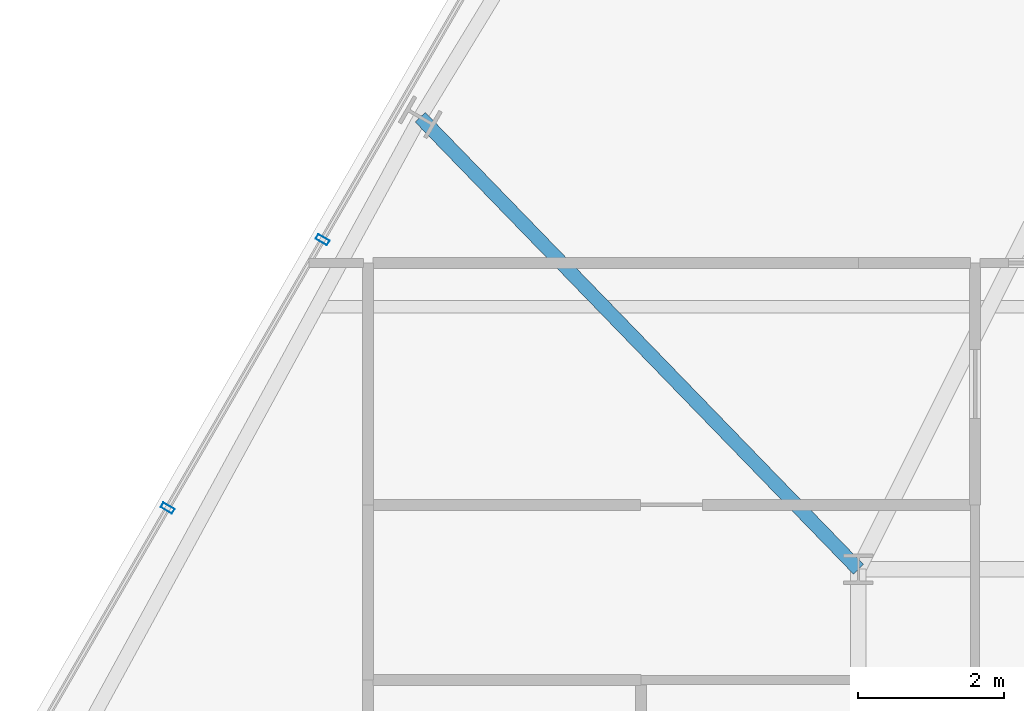
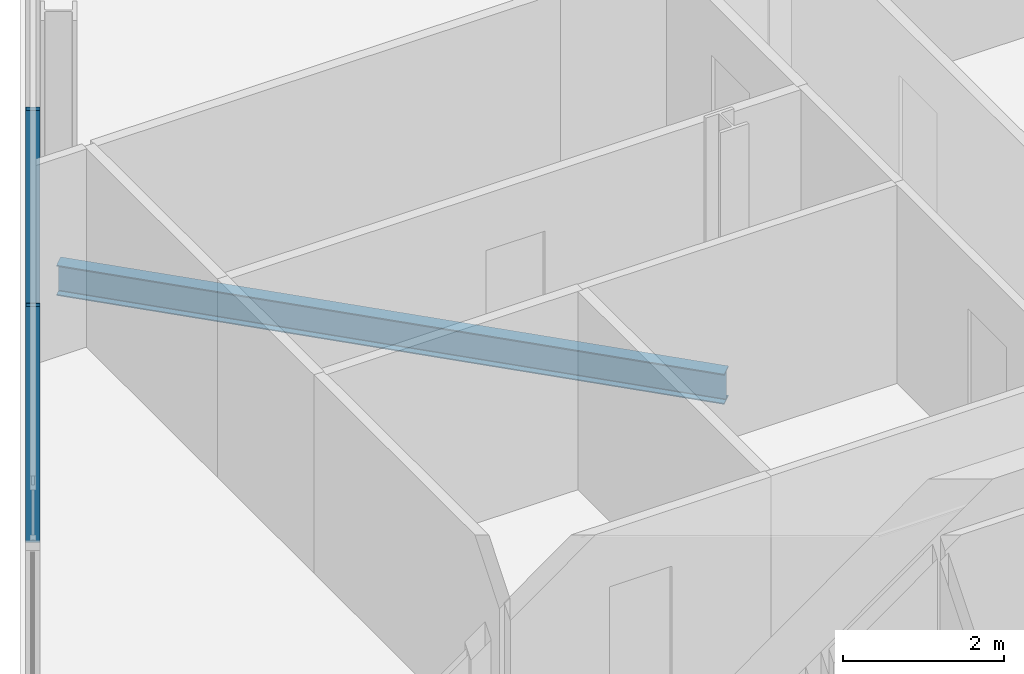
# One storey, part 10 of 34: 2 members, 1 beam, 1 element without a shape of its own.
"""IFC4 building model written with IfcOpenShell, lengths in metres."""

from ifc_helpers import new_model, si_unit, direction, frame, origin, origin_2d, place, context, subcontext, project, spatial, hollow_rectangle, i_section, extrude, material, layer, layer_set, material_profile, profile_set, type_object, element, aggregate, save


model = new_model("IFC4")

# Units and contexts
model_context = context("Model", 3, precision=1e-05, world=origin(), true_north=direction((0.0, 1.0)))
body_context = subcontext(model_context, "Body", "Model", "MODEL_VIEW")
ifc_project = project(units=[si_unit("LENGTHUNIT", "METRE"), si_unit("AREAUNIT", "SQUARE_METRE"), si_unit("VOLUMEUNIT", "CUBIC_METRE"), si_unit("PLANEANGLEUNIT", "RADIAN"), si_unit("MASSUNIT", "GRAM", prefix="KILO")], contexts=[model_context])

# Site, building, storey
site_placement = place(None, origin())
site = spatial("IfcSite", under=ifc_project, at=site_placement, CompositionType="ELEMENT")
building_placement = place(site_placement, origin())
building = spatial("IfcBuilding", under=site, at=building_placement, Name="Ndaravel Arena Tower", CompositionType="ELEMENT")
storey_placement = place(building_placement, frame((0.0, 0.0, 195.39990234375)))
storey = spatial("IfcBuildingStorey", under=building, at=storey_placement, Name="L47", CompositionType="ELEMENT", Elevation=195.39990234375)

# Beam
ifc_material_1 = material(Name="Steel S355", Category="steel")
ifc_material_profile_1 = material_profile(ifc_material_1, i_section(OverallWidth=0.19140625, OverallDepth=0.4599609375, WebThickness=0.010009765625, FlangeThickness=0.01611328125, FilletRadius=0.01025390625, at=origin_2d()), Name="UB 457x191x82")
ifc_profile_set_1 = profile_set([ifc_material_profile_1], Name="Steel S355")
beam_type = type_object("IfcBeamType", Name="BM-GIRD-UB457", PredefinedType="BEAM", material=ifc_profile_set_1)
beam_placement = place(storey_placement, frame((28.189697265625, 29.400146484375, -0.449951171875), z_axis=(0.696023073464, -0.718019415619, 0.0), x_axis=(0.718019415619, 0.696023073464, 0.0)))
element("IfcBeam", 1, at=beam_placement, inside=storey, type_object=beam_type, Name="L47 Radial Floor Girder FG-19", PredefinedType="BEAM", context=body_context, shape_type="SweptSolid", body=[
    extrude(i_section(OverallWidth=0.19140625, OverallDepth=0.4599609375, WebThickness=0.010009765625, FlangeThickness=0.01611328125, FilletRadius=0.01025390625, at=origin_2d()), origin(), (0.0, 0.0, 1.0), 8.63525390625),
])

# Curtain wall, members
ifc_material_2 = material(Name="Aluminium", Category="aluminium")
ifc_layer = layer(ifc_material_2, 0.179931640625)
ifc_layer_set = layer_set([ifc_layer], Name="Aluminium")
curtain_wall_type = type_object("IfcCurtainWallType", Name="CW-SYS-03", PredefinedType="NOTDEFINED", material=ifc_layer_set)
curtain_wall_placement = place(storey_placement, origin())
curtain_wall = element("IfcCurtainWall", 2, at=curtain_wall_placement, inside=storey, type_object=curtain_wall_type, Name="L47 Faceted Crystal Curtain Wall CW-L47-E05", PredefinedType="NOTDEFINED")
ifc_material_3 = material(Name="Aluminium", Category="aluminium")
ifc_material_profile_2 = material_profile(ifc_material_3, hollow_rectangle(XDim=0.074951171875, YDim=0.179931640625, WallThickness=0.00390625, at=origin_2d()), Name="CW MULLION 75x180x4")
ifc_profile_set_2 = profile_set([ifc_material_profile_2], Name="Aluminium")
member_type = type_object("IfcMemberType", Name="MEM-CW-MUL180", PredefinedType="MULLION", material=ifc_profile_set_2)
member_1_placement = place(storey_placement, frame((26.849853515625, 27.719482421875, 0.0), z_axis=(0.0, 0.0, 1.0), x_axis=(-0.5, -0.866025403784, 0.0)))
member_1 = element("IfcMember", 3, at=member_1_placement, type_object=member_type, Name="CW-L47-E05 Mullion 05", PredefinedType="MULLION", context=body_context, shape_type="SweptSolid", body=[
    extrude(hollow_rectangle(XDim=0.074951171875, YDim=0.179931640625, WallThickness=0.00390625, at=origin_2d()), origin(), (0.0, 0.0, 1.0), 3.580078125),
])
member_2_placement = place(storey_placement, frame((24.724609375, 24.0380859375, 0.0), z_axis=(0.0, 0.0, 1.0), x_axis=(-0.5, -0.866025403784, 0.0)))
member_2 = element("IfcMember", 4, at=member_2_placement, type_object=member_type, Name="CW-L47-E05 Mullion 06", PredefinedType="MULLION", context=body_context, shape_type="SweptSolid", body=[
    extrude(hollow_rectangle(XDim=0.074951171875, YDim=0.179931640625, WallThickness=0.00390625, at=origin_2d()), origin(), (0.0, 0.0, 1.0), 3.580078125),
])
aggregate(curtain_wall, [member_1, member_2])

save(model, "model.ifc")
